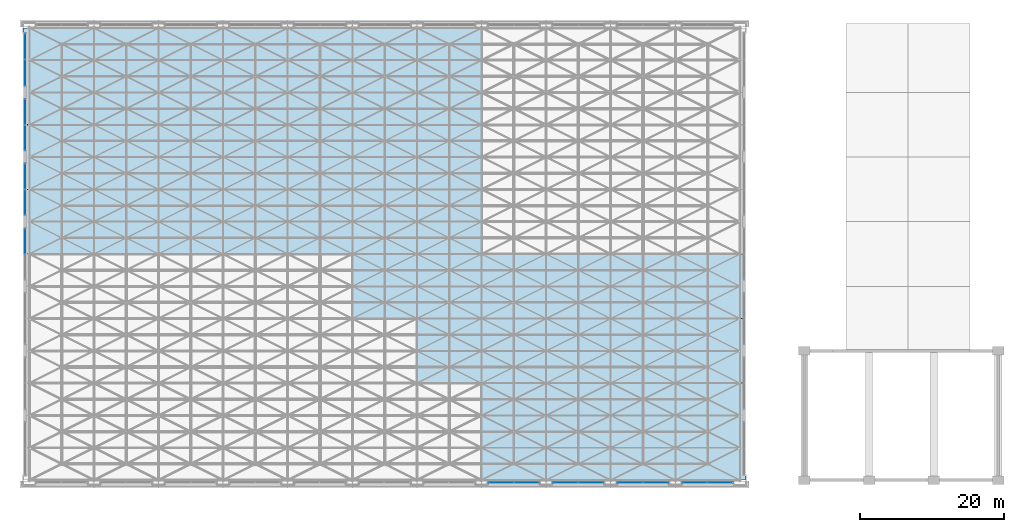
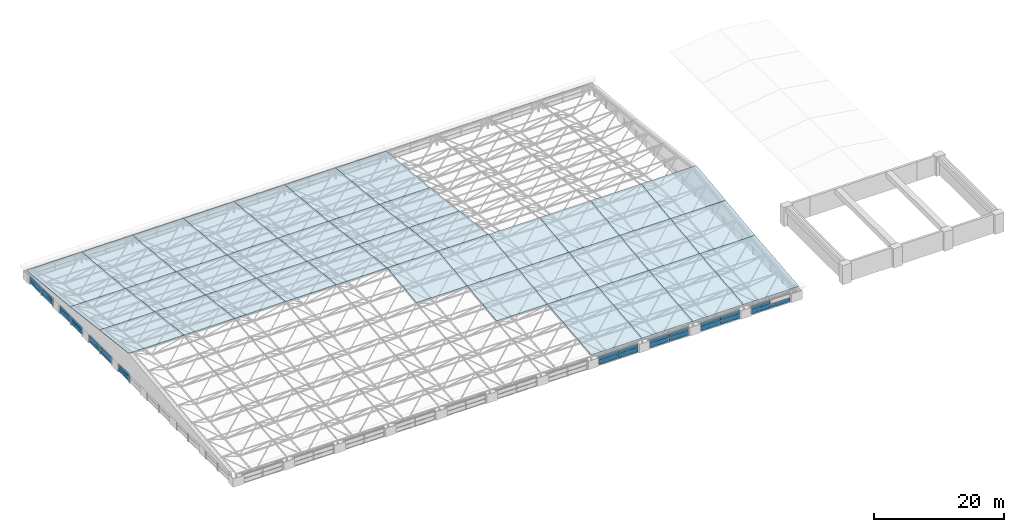
# One storey, part 24 of 53: 36 slabs, 29 plates, 8 elements without a shape of their own.
"""IFC4 building model written with IfcOpenShell, lengths in metres."""

from ifc_helpers import new_model, si_unit, direction, frame, origin, origin_2d, place, context, subcontext, project, spatial, polyline, rectangle, outline, extrude, material, layer, layer_set, type_object, element, aggregate, save


model = new_model("IFC4")

# Units and contexts
model_context = context("Model", 3, precision=1e-05, world=origin(), true_north=direction((0.0, 1.0)))
body_context = subcontext(model_context, "Body", "Model", "MODEL_VIEW")
ifc_project = project(units=[si_unit("LENGTHUNIT", "METRE"), si_unit("AREAUNIT", "SQUARE_METRE"), si_unit("VOLUMEUNIT", "CUBIC_METRE"), si_unit("PLANEANGLEUNIT", "RADIAN"), si_unit("MASSUNIT", "GRAM", prefix="KILO")], contexts=[model_context])

# Site, building, storey
site_placement = place(None, origin())
site = spatial("IfcSite", under=ifc_project, at=site_placement, CompositionType="ELEMENT")
building_placement = place(site_placement, origin())
building = spatial("IfcBuilding", under=site, at=building_placement, Name="Aravalli Gate Trade Fair Centre", CompositionType="ELEMENT")
storey_placement = place(building_placement, frame((0.0, 0.0, 25.199951171875)))
storey = spatial("IfcBuildingStorey", under=building, at=storey_placement, Name="ROOF LEVEL 2", CompositionType="ELEMENT", Elevation=25.199951171875)

# Curtain wall, plate
ifc_material_1 = material(Name="Aluminium, glass and louvre", Category="aluminium")
curtain_wall_type = type_object("IfcCurtainWallType", Name="Hall crown curtain wall 3000 module", PredefinedType="NOTDEFINED", material=ifc_material_1)
curtain_wall_1_placement = place(storey_placement, origin())
curtain_wall_1 = element("IfcCurtainWall", 1, at=curtain_wall_1_placement, inside=storey, type_object=curtain_wall_type, Name="Hall west crown curtain wall 4 ROOF LEVEL 2", PredefinedType="NOTDEFINED")
ifc_material_2 = material(Name="Glass, double glazed", Category="glass")
ifc_layer_1 = layer(ifc_material_2, 0.028076171875)
ifc_layer_set_1 = layer_set([ifc_layer_1], Name="Glass, double glazed")
plate_type_1 = type_object("IfcPlateType", Name="Hall curtain wall panel, glass 28", PredefinedType="CURTAIN_PANEL", material=ifc_layer_set_1)
plate_1_placement = place(storey_placement, frame((5.425048828125, 79.284912109375, 0.830078125), z_axis=(0.0, 0.0, 1.0), x_axis=(0.0, 1.0, 0.0)))
plate_1 = element("IfcPlate", 2, at=plate_1_placement, type_object=plate_type_1, Name="HCW1 panel 2.2", PredefinedType="CURTAIN_PANEL", context=body_context, shape_type="SweptSolid", body=[
    extrude(rectangle(XDim=3.510009765625, YDim=0.028076171875, at=origin_2d()), origin(), (0.0, 0.0, 1.0), 0.7099609375),
])

# Curtain wall, plates
curtain_wall_2_placement = place(storey_placement, origin())
curtain_wall_2 = element("IfcCurtainWall", 3, at=curtain_wall_2_placement, inside=storey, type_object=curtain_wall_type, Name="Hall west crown curtain wall 5 ROOF LEVEL 2", PredefinedType="NOTDEFINED")
plate_2_placement = place(storey_placement, frame((5.425048828125, 84.715087890625, 0.830078125), z_axis=(0.0, 0.0, 1.0), x_axis=(0.0, 1.0, 0.0)))
plate_2 = element("IfcPlate", 4, at=plate_2_placement, type_object=plate_type_1, Name="HCW1 panel 1.2", PredefinedType="CURTAIN_PANEL", context=body_context, shape_type="SweptSolid", body=[
    extrude(rectangle(XDim=3.510009765625, YDim=0.028076171875, at=origin_2d()), origin(), (0.0, 0.0, 1.0), 0.7099609375),
])
plate_3_placement = place(storey_placement, frame((5.425048828125, 88.284912109375, 0.830078125), z_axis=(0.0, 0.0, 1.0), x_axis=(0.0, 1.0, 0.0)))
plate_3 = element("IfcPlate", 5, at=plate_3_placement, type_object=plate_type_1, Name="HCW1 panel 2.2", PredefinedType="CURTAIN_PANEL", context=body_context, shape_type="SweptSolid", body=[
    extrude(rectangle(XDim=3.510009765625, YDim=0.028076171875, at=origin_2d()), origin(), (0.0, 0.0, 1.0), 0.7099609375),
])

curtain_wall_3_placement = place(storey_placement, origin())
curtain_wall_3 = element("IfcCurtainWall", 6, at=curtain_wall_3_placement, inside=storey, type_object=curtain_wall_type, Name="Hall west crown curtain wall 6 ROOF LEVEL 2", PredefinedType="NOTDEFINED")
plate_4_placement = place(storey_placement, frame((5.425048828125, 93.715087890625, 0.830078125), z_axis=(0.0, 0.0, 1.0), x_axis=(0.0, 1.0, 0.0)))
plate_4 = element("IfcPlate", 7, at=plate_4_placement, type_object=plate_type_1, Name="HCW1 panel 1.2", PredefinedType="CURTAIN_PANEL", context=body_context, shape_type="SweptSolid", body=[
    extrude(rectangle(XDim=3.510009765625, YDim=0.028076171875, at=origin_2d()), origin(), (0.0, 0.0, 1.0), 0.7099609375),
])
plate_5_placement = place(storey_placement, frame((5.425048828125, 97.284912109375, 0.830078125), z_axis=(0.0, 0.0, 1.0), x_axis=(0.0, 1.0, 0.0)))
plate_5 = element("IfcPlate", 8, at=plate_5_placement, type_object=plate_type_1, Name="HCW1 panel 2.2", PredefinedType="CURTAIN_PANEL", context=body_context, shape_type="SweptSolid", body=[
    extrude(rectangle(XDim=3.510009765625, YDim=0.028076171875, at=origin_2d()), origin(), (0.0, 0.0, 1.0), 0.7099609375),
])

curtain_wall_4_placement = place(storey_placement, origin())
curtain_wall_4 = element("IfcCurtainWall", 9, at=curtain_wall_4_placement, inside=storey, type_object=curtain_wall_type, Name="Hall west crown curtain wall 7 ROOF LEVEL 2", PredefinedType="NOTDEFINED")
plate_6_placement = place(storey_placement, frame((5.425048828125, 102.75244140625, 0.830078125), z_axis=(0.0, 0.0, 1.0), x_axis=(0.0, 1.0, 0.0)))
plate_6 = element("IfcPlate", 10, at=plate_6_placement, type_object=plate_type_1, Name="HCW1 panel 1.2", PredefinedType="CURTAIN_PANEL", context=body_context, shape_type="SweptSolid", body=[
    extrude(rectangle(XDim=3.5849609375, YDim=0.028076171875, at=origin_2d()), origin(), (0.0, 0.0, 1.0), 0.7099609375),
])
plate_7_placement = place(storey_placement, frame((5.425048828125, 106.3974609375, 0.830078125), z_axis=(0.0, 0.0, 1.0), x_axis=(0.0, 1.0, 0.0)))
plate_7 = element("IfcPlate", 11, at=plate_7_placement, type_object=plate_type_1, Name="HCW1 panel 2.2", PredefinedType="CURTAIN_PANEL", context=body_context, shape_type="SweptSolid", body=[
    extrude(rectangle(XDim=3.5849609375, YDim=0.028076171875, at=origin_2d()), origin(), (0.0, 0.0, 1.0), 0.7099609375),
])

curtain_wall_5_placement = place(storey_placement, origin())
curtain_wall_5 = element("IfcCurtainWall", 12, at=curtain_wall_5_placement, inside=storey, type_object=curtain_wall_type, Name="Hall south crown curtain wall bay 8 ROOF LEVEL 2", PredefinedType="NOTDEFINED")
ifc_material_3 = material(Name="Aluminium louvre blades", Category="aluminium")
ifc_layer_2 = layer(ifc_material_3, 0.06005859375)
ifc_layer_set_2 = layer_set([ifc_layer_2], Name="Aluminium louvre blades")
plate_type_2 = type_object("IfcPlateType", Name="Hall curtain wall panel, louvre 60", PredefinedType="CURTAIN_PANEL", material=ifc_layer_set_2)
plate_8_placement = place(storey_placement, frame((71.739990234375, 45.625, 0.06005859375), z_axis=(0.0, 0.0, 1.0), x_axis=(1.0, 0.0, 0.0)))
plate_8 = element("IfcPlate", 13, at=plate_8_placement, type_object=plate_type_2, Name="HCW1 panel 1.1", PredefinedType="CURTAIN_PANEL", context=body_context, shape_type="SweptSolid", body=[
    extrude(rectangle(XDim=3.4599609375, YDim=0.06005859375, at=origin_2d()), origin(), (0.0, 0.0, 1.0), 0.7099609375),
])
plate_9_placement = place(storey_placement, frame((71.739990234375, 45.625, 0.830078125), z_axis=(0.0, 0.0, 1.0), x_axis=(1.0, 0.0, 0.0)))
plate_9 = element("IfcPlate", 14, at=plate_9_placement, type_object=plate_type_2, Name="HCW1 panel 1.2", PredefinedType="CURTAIN_PANEL", context=body_context, shape_type="SweptSolid", body=[
    extrude(rectangle(XDim=3.4599609375, YDim=0.06005859375, at=origin_2d()), origin(), (0.0, 0.0, 1.0), 0.7099609375),
])
plate_10_placement = place(storey_placement, frame((75.260009765625, 45.625, 0.06005859375), z_axis=(0.0, 0.0, 1.0), x_axis=(1.0, 0.0, 0.0)))
plate_10 = element("IfcPlate", 15, at=plate_10_placement, type_object=plate_type_2, Name="HCW1 panel 2.1", PredefinedType="CURTAIN_PANEL", context=body_context, shape_type="SweptSolid", body=[
    extrude(rectangle(XDim=3.4599609375, YDim=0.06005859375, at=origin_2d()), origin(), (0.0, 0.0, 1.0), 0.7099609375),
])
plate_11_placement = place(storey_placement, frame((75.260009765625, 45.625, 0.830078125), z_axis=(0.0, 0.0, 1.0), x_axis=(1.0, 0.0, 0.0)))
plate_11 = element("IfcPlate", 16, at=plate_11_placement, type_object=plate_type_2, Name="HCW1 panel 2.2", PredefinedType="CURTAIN_PANEL", context=body_context, shape_type="SweptSolid", body=[
    extrude(rectangle(XDim=3.4599609375, YDim=0.06005859375, at=origin_2d()), origin(), (0.0, 0.0, 1.0), 0.7099609375),
])
aggregate(curtain_wall_5, [plate_8, plate_9, plate_10, plate_11])

curtain_wall_6_placement = place(storey_placement, origin())
curtain_wall_6 = element("IfcCurtainWall", 17, at=curtain_wall_6_placement, inside=storey, type_object=curtain_wall_type, Name="Hall south crown curtain wall bay 9 ROOF LEVEL 2", PredefinedType="NOTDEFINED")
plate_12_placement = place(storey_placement, frame((80.739990234375, 45.625, 0.06005859375), z_axis=(0.0, 0.0, 1.0), x_axis=(1.0, 0.0, 0.0)))
plate_12 = element("IfcPlate", 18, at=plate_12_placement, type_object=plate_type_2, Name="HCW1 panel 1.1", PredefinedType="CURTAIN_PANEL", context=body_context, shape_type="SweptSolid", body=[
    extrude(rectangle(XDim=3.4599609375, YDim=0.06005859375, at=origin_2d()), origin(), (0.0, 0.0, 1.0), 0.7099609375),
])
plate_13_placement = place(storey_placement, frame((80.739990234375, 45.625, 0.830078125), z_axis=(0.0, 0.0, 1.0), x_axis=(1.0, 0.0, 0.0)))
plate_13 = element("IfcPlate", 19, at=plate_13_placement, type_object=plate_type_2, Name="HCW1 panel 1.2", PredefinedType="CURTAIN_PANEL", context=body_context, shape_type="SweptSolid", body=[
    extrude(rectangle(XDim=3.4599609375, YDim=0.06005859375, at=origin_2d()), origin(), (0.0, 0.0, 1.0), 0.7099609375),
])
plate_14_placement = place(storey_placement, frame((84.260009765625, 45.625, 0.06005859375), z_axis=(0.0, 0.0, 1.0), x_axis=(1.0, 0.0, 0.0)))
plate_14 = element("IfcPlate", 20, at=plate_14_placement, type_object=plate_type_2, Name="HCW1 panel 2.1", PredefinedType="CURTAIN_PANEL", context=body_context, shape_type="SweptSolid", body=[
    extrude(rectangle(XDim=3.4599609375, YDim=0.06005859375, at=origin_2d()), origin(), (0.0, 0.0, 1.0), 0.7099609375),
])
plate_15_placement = place(storey_placement, frame((84.260009765625, 45.625, 0.830078125), z_axis=(0.0, 0.0, 1.0), x_axis=(1.0, 0.0, 0.0)))
plate_15 = element("IfcPlate", 21, at=plate_15_placement, type_object=plate_type_2, Name="HCW1 panel 2.2", PredefinedType="CURTAIN_PANEL", context=body_context, shape_type="SweptSolid", body=[
    extrude(rectangle(XDim=3.4599609375, YDim=0.06005859375, at=origin_2d()), origin(), (0.0, 0.0, 1.0), 0.7099609375),
])
aggregate(curtain_wall_6, [plate_12, plate_13, plate_14, plate_15])

curtain_wall_7_placement = place(storey_placement, origin())
curtain_wall_7 = element("IfcCurtainWall", 22, at=curtain_wall_7_placement, inside=storey, type_object=curtain_wall_type, Name="Hall south crown curtain wall bay 10 ROOF LEVEL 2", PredefinedType="NOTDEFINED")
plate_16_placement = place(storey_placement, frame((89.739990234375, 45.625, 0.06005859375), z_axis=(0.0, 0.0, 1.0), x_axis=(1.0, 0.0, 0.0)))
plate_16 = element("IfcPlate", 23, at=plate_16_placement, type_object=plate_type_2, Name="HCW1 panel 1.1", PredefinedType="CURTAIN_PANEL", context=body_context, shape_type="SweptSolid", body=[
    extrude(rectangle(XDim=3.4599609375, YDim=0.06005859375, at=origin_2d()), origin(), (0.0, 0.0, 1.0), 0.7099609375),
])
plate_17_placement = place(storey_placement, frame((89.739990234375, 45.625, 0.830078125), z_axis=(0.0, 0.0, 1.0), x_axis=(1.0, 0.0, 0.0)))
plate_17 = element("IfcPlate", 24, at=plate_17_placement, type_object=plate_type_2, Name="HCW1 panel 1.2", PredefinedType="CURTAIN_PANEL", context=body_context, shape_type="SweptSolid", body=[
    extrude(rectangle(XDim=3.4599609375, YDim=0.06005859375, at=origin_2d()), origin(), (0.0, 0.0, 1.0), 0.7099609375),
])
plate_18_placement = place(storey_placement, frame((93.260009765625, 45.625, 0.06005859375), z_axis=(0.0, 0.0, 1.0), x_axis=(1.0, 0.0, 0.0)))
plate_18 = element("IfcPlate", 25, at=plate_18_placement, type_object=plate_type_2, Name="HCW1 panel 2.1", PredefinedType="CURTAIN_PANEL", context=body_context, shape_type="SweptSolid", body=[
    extrude(rectangle(XDim=3.4599609375, YDim=0.06005859375, at=origin_2d()), origin(), (0.0, 0.0, 1.0), 0.7099609375),
])
plate_19_placement = place(storey_placement, frame((93.260009765625, 45.625, 0.830078125), z_axis=(0.0, 0.0, 1.0), x_axis=(1.0, 0.0, 0.0)))
plate_19 = element("IfcPlate", 26, at=plate_19_placement, type_object=plate_type_2, Name="HCW1 panel 2.2", PredefinedType="CURTAIN_PANEL", context=body_context, shape_type="SweptSolid", body=[
    extrude(rectangle(XDim=3.4599609375, YDim=0.06005859375, at=origin_2d()), origin(), (0.0, 0.0, 1.0), 0.7099609375),
])
aggregate(curtain_wall_7, [plate_16, plate_17, plate_18, plate_19])

curtain_wall_8_placement = place(storey_placement, origin())
curtain_wall_8 = element("IfcCurtainWall", 27, at=curtain_wall_8_placement, inside=storey, type_object=curtain_wall_type, Name="Hall south crown curtain wall bay 11 ROOF LEVEL 2", PredefinedType="NOTDEFINED")
plate_20_placement = place(storey_placement, frame((98.739990234375, 45.625, 0.06005859375), z_axis=(0.0, 0.0, 1.0), x_axis=(1.0, 0.0, 0.0)))
plate_20 = element("IfcPlate", 28, at=plate_20_placement, type_object=plate_type_2, Name="HCW1 panel 1.1", PredefinedType="CURTAIN_PANEL", context=body_context, shape_type="SweptSolid", body=[
    extrude(rectangle(XDim=3.4599609375, YDim=0.06005859375, at=origin_2d()), origin(), (0.0, 0.0, 1.0), 0.7099609375),
])
plate_21_placement = place(storey_placement, frame((98.739990234375, 45.625, 0.830078125), z_axis=(0.0, 0.0, 1.0), x_axis=(1.0, 0.0, 0.0)))
plate_21 = element("IfcPlate", 29, at=plate_21_placement, type_object=plate_type_2, Name="HCW1 panel 1.2", PredefinedType="CURTAIN_PANEL", context=body_context, shape_type="SweptSolid", body=[
    extrude(rectangle(XDim=3.4599609375, YDim=0.06005859375, at=origin_2d()), origin(), (0.0, 0.0, 1.0), 0.7099609375),
])
plate_22_placement = place(storey_placement, frame((102.260009765625, 45.625, 0.06005859375), z_axis=(0.0, 0.0, 1.0), x_axis=(1.0, 0.0, 0.0)))
plate_22 = element("IfcPlate", 30, at=plate_22_placement, type_object=plate_type_2, Name="HCW1 panel 2.1", PredefinedType="CURTAIN_PANEL", context=body_context, shape_type="SweptSolid", body=[
    extrude(rectangle(XDim=3.4599609375, YDim=0.06005859375, at=origin_2d()), origin(), (0.0, 0.0, 1.0), 0.7099609375),
])
aggregate(curtain_wall_8, [plate_20, plate_21, plate_22])

# Plate
plate_23_placement = place(storey_placement, frame((5.425048828125, 79.284912109375, 0.06005859375), z_axis=(0.0, 0.0, 1.0), x_axis=(0.0, 1.0, 0.0)))
plate_23 = element("IfcPlate", 31, at=plate_23_placement, type_object=plate_type_2, Name="HCW1 panel 2.1", PredefinedType="CURTAIN_PANEL", context=body_context, shape_type="SweptSolid", body=[
    extrude(rectangle(XDim=3.510009765625, YDim=0.06005859375, at=origin_2d()), origin(), (0.0, 0.0, 1.0), 0.7099609375),
])

aggregate(curtain_wall_1, [plate_23, plate_1])

plate_24_placement = place(storey_placement, frame((5.425048828125, 84.715087890625, 0.06005859375), z_axis=(0.0, 0.0, 1.0), x_axis=(0.0, 1.0, 0.0)))
plate_24 = element("IfcPlate", 32, at=plate_24_placement, type_object=plate_type_2, Name="HCW1 panel 1.1", PredefinedType="CURTAIN_PANEL", context=body_context, shape_type="SweptSolid", body=[
    extrude(rectangle(XDim=3.510009765625, YDim=0.06005859375, at=origin_2d()), origin(), (0.0, 0.0, 1.0), 0.7099609375),
])

plate_25_placement = place(storey_placement, frame((5.425048828125, 88.284912109375, 0.06005859375), z_axis=(0.0, 0.0, 1.0), x_axis=(0.0, 1.0, 0.0)))
plate_25 = element("IfcPlate", 33, at=plate_25_placement, type_object=plate_type_2, Name="HCW1 panel 2.1", PredefinedType="CURTAIN_PANEL", context=body_context, shape_type="SweptSolid", body=[
    extrude(rectangle(XDim=3.510009765625, YDim=0.06005859375, at=origin_2d()), origin(), (0.0, 0.0, 1.0), 0.7099609375),
])

aggregate(curtain_wall_2, [plate_24, plate_2, plate_25, plate_3])

plate_26_placement = place(storey_placement, frame((5.425048828125, 93.715087890625, 0.06005859375), z_axis=(0.0, 0.0, 1.0), x_axis=(0.0, 1.0, 0.0)))
plate_26 = element("IfcPlate", 34, at=plate_26_placement, type_object=plate_type_2, Name="HCW1 panel 1.1", PredefinedType="CURTAIN_PANEL", context=body_context, shape_type="SweptSolid", body=[
    extrude(rectangle(XDim=3.510009765625, YDim=0.06005859375, at=origin_2d()), origin(), (0.0, 0.0, 1.0), 0.7099609375),
])

plate_27_placement = place(storey_placement, frame((5.425048828125, 97.284912109375, 0.06005859375), z_axis=(0.0, 0.0, 1.0), x_axis=(0.0, 1.0, 0.0)))
plate_27 = element("IfcPlate", 35, at=plate_27_placement, type_object=plate_type_2, Name="HCW1 panel 2.1", PredefinedType="CURTAIN_PANEL", context=body_context, shape_type="SweptSolid", body=[
    extrude(rectangle(XDim=3.510009765625, YDim=0.06005859375, at=origin_2d()), origin(), (0.0, 0.0, 1.0), 0.7099609375),
])

aggregate(curtain_wall_3, [plate_26, plate_4, plate_27, plate_5])

plate_28_placement = place(storey_placement, frame((5.425048828125, 102.75244140625, 0.06005859375), z_axis=(0.0, 0.0, 1.0), x_axis=(0.0, 1.0, 0.0)))
plate_28 = element("IfcPlate", 36, at=plate_28_placement, type_object=plate_type_2, Name="HCW1 panel 1.1", PredefinedType="CURTAIN_PANEL", context=body_context, shape_type="SweptSolid", body=[
    extrude(rectangle(XDim=3.5849609375, YDim=0.06005859375, at=origin_2d()), origin(), (0.0, 0.0, 1.0), 0.7099609375),
])

plate_29_placement = place(storey_placement, frame((5.425048828125, 106.3974609375, 0.06005859375), z_axis=(0.0, 0.0, 1.0), x_axis=(0.0, 1.0, 0.0)))
plate_29 = element("IfcPlate", 37, at=plate_29_placement, type_object=plate_type_2, Name="HCW1 panel 2.1", PredefinedType="CURTAIN_PANEL", context=body_context, shape_type="SweptSolid", body=[
    extrude(rectangle(XDim=3.5849609375, YDim=0.06005859375, at=origin_2d()), origin(), (0.0, 0.0, 1.0), 0.7099609375),
])

aggregate(curtain_wall_4, [plate_28, plate_6, plate_29, plate_7])

# Slabs
ifc_material_4 = material(Name="Aluminium standing-seam roof sheet on insulated deck", Category="aluminium")
ifc_layer_3 = layer(ifc_material_4, 0.10009765625)
ifc_layer_set_3 = layer_set([ifc_layer_3], Name="Aluminium standing-seam roof sheet on insulated deck")
slab_type = type_object("IfcSlabType", Name="Hall roof panel 100", PredefinedType="ROOF", material=ifc_layer_set_3)
slab_1_placement = place(storey_placement, frame((5.199951171875, 77.511962890625, 5.565185546875), z_axis=(0.0, 0.119150537915, 0.992876200397), x_axis=(1.0, 0.0, 0.0)))
element("IfcSlab", 38, at=slab_1_placement, inside=storey, type_object=slab_type, Name="Hall roof panel bay 1 facet 4", PredefinedType="ROOF", context=body_context, shape_type="SweptSolid", body=[
    extrude(outline(polyline([(0.0, 0.0), (9.800048828125, 0.0), (9.800048828125, 9.0525254868457), (0.0, 9.0525254868457), (0.0, 0.0)])), origin(), (0.0, 0.0, -1.0), 0.10009765625),
])
slab_2_placement = place(storey_placement, frame((5.199951171875, 86.51220703125, 4.485107421875), z_axis=(0.0, 0.121306442071, 0.992615105221), x_axis=(1.0, 0.0, 0.0)))
element("IfcSlab", 39, at=slab_2_placement, inside=storey, type_object=slab_type, Name="Hall roof panel bay 1 facet 5", PredefinedType="ROOF", context=body_context, shape_type="SweptSolid", body=[
    extrude(outline(polyline([(0.0, 0.0), (9.800048828125, 0.0), (9.800048828125, 9.054660685172871), (0.0, 9.054660685172871), (0.0, 0.0)])), origin(), (0.0, 0.0, -1.0), 0.10009765625),
])
slab_3_placement = place(storey_placement, frame((5.199951171875, 95.510009765625, 3.3857421875), z_axis=(0.0, 0.099512633907, 0.995036298681), x_axis=(1.0, 0.0, 0.0)))
element("IfcSlab", 40, at=slab_3_placement, inside=storey, type_object=slab_type, Name="Hall roof panel bay 1 facet 6", PredefinedType="ROOF", context=body_context, shape_type="SweptSolid", body=[
    extrude(outline(polyline([(0.0, 0.0), (9.800048828125, 0.0), (9.800048828125, 13.55728454555462), (0.0, 13.55728454555462), (0.0, 0.0)])), origin(), (0.0, 0.0, -1.0), 0.10009765625),
])
slab_4_placement = place(storey_placement, frame((15.0, 77.511962890625, 5.565185546875), z_axis=(0.0, 0.119150537915, 0.992876200397), x_axis=(1.0, 0.0, 0.0)))
element("IfcSlab", 41, at=slab_4_placement, inside=storey, type_object=slab_type, Name="Hall roof panel bay 2 facet 4", PredefinedType="ROOF", context=body_context, shape_type="SweptSolid", body=[
    extrude(outline(polyline([(0.0, 0.0), (9.0, 0.0), (9.0, 9.052525486845699), (0.0, 9.052525486845699), (0.0, 0.0)])), origin(), (0.0, 0.0, -1.0), 0.10009765625),
])
slab_5_placement = place(storey_placement, frame((15.0, 86.51220703125, 4.485107421875), z_axis=(0.0, 0.121306442071, 0.992615105221), x_axis=(1.0, 0.0, 0.0)))
element("IfcSlab", 42, at=slab_5_placement, inside=storey, type_object=slab_type, Name="Hall roof panel bay 2 facet 5", PredefinedType="ROOF", context=body_context, shape_type="SweptSolid", body=[
    extrude(outline(polyline([(0.0, 0.0), (9.0, 0.0), (9.0, 9.054660685172873), (0.0, 9.054660685172873), (0.0, 0.0)])), origin(), (0.0, 0.0, -1.0), 0.10009765625),
])
slab_6_placement = place(storey_placement, frame((15.0, 95.510009765625, 3.3857421875), z_axis=(0.0, 0.099512633907, 0.995036298681), x_axis=(1.0, 0.0, 0.0)))
element("IfcSlab", 43, at=slab_6_placement, inside=storey, type_object=slab_type, Name="Hall roof panel bay 2 facet 6", PredefinedType="ROOF", context=body_context, shape_type="SweptSolid", body=[
    extrude(outline(polyline([(0.0, 0.0), (9.0, 0.0), (9.0, 13.55728454555462), (0.0, 13.55728454555462), (0.0, 0.0)])), origin(), (0.0, 0.0, -1.0), 0.10009765625),
])
slab_7_placement = place(storey_placement, frame((24.0, 77.511962890625, 5.565185546875), z_axis=(0.0, 0.119150537915, 0.992876200397), x_axis=(1.0, 0.0, 0.0)))
element("IfcSlab", 44, at=slab_7_placement, inside=storey, type_object=slab_type, Name="Hall roof panel bay 3 facet 4", PredefinedType="ROOF", context=body_context, shape_type="SweptSolid", body=[
    extrude(outline(polyline([(0.0, 0.0), (9.0, 0.0), (9.0, 9.052525486845699), (0.0, 9.052525486845699), (0.0, 0.0)])), origin(), (0.0, 0.0, -1.0), 0.10009765625),
])
slab_8_placement = place(storey_placement, frame((24.0, 86.51220703125, 4.485107421875), z_axis=(0.0, 0.121306442071, 0.992615105221), x_axis=(1.0, 0.0, 0.0)))
element("IfcSlab", 45, at=slab_8_placement, inside=storey, type_object=slab_type, Name="Hall roof panel bay 3 facet 5", PredefinedType="ROOF", context=body_context, shape_type="SweptSolid", body=[
    extrude(outline(polyline([(0.0, 0.0), (9.0, 0.0), (9.0, 9.054660685172873), (0.0, 9.054660685172873), (0.0, 0.0)])), origin(), (0.0, 0.0, -1.0), 0.10009765625),
])
slab_9_placement = place(storey_placement, frame((24.0, 95.510009765625, 3.3857421875), z_axis=(0.0, 0.099512633907, 0.995036298681), x_axis=(1.0, 0.0, 0.0)))
element("IfcSlab", 46, at=slab_9_placement, inside=storey, type_object=slab_type, Name="Hall roof panel bay 3 facet 6", PredefinedType="ROOF", context=body_context, shape_type="SweptSolid", body=[
    extrude(outline(polyline([(0.0, 0.0), (9.0, 0.0), (9.0, 13.55728454555462), (0.0, 13.55728454555462), (0.0, 0.0)])), origin(), (0.0, 0.0, -1.0), 0.10009765625),
])
slab_10_placement = place(storey_placement, frame((33.0, 77.511962890625, 5.565185546875), z_axis=(0.0, 0.119150537915, 0.992876200397), x_axis=(1.0, 0.0, 0.0)))
element("IfcSlab", 47, at=slab_10_placement, inside=storey, type_object=slab_type, Name="Hall roof panel bay 4 facet 4", PredefinedType="ROOF", context=body_context, shape_type="SweptSolid", body=[
    extrude(outline(polyline([(0.0, 0.0), (9.0, 0.0), (9.0, 9.052525486845699), (0.0, 9.052525486845699), (0.0, 0.0)])), origin(), (0.0, 0.0, -1.0), 0.10009765625),
])
slab_11_placement = place(storey_placement, frame((33.0, 86.51220703125, 4.485107421875), z_axis=(0.0, 0.121306442071, 0.992615105221), x_axis=(1.0, 0.0, 0.0)))
element("IfcSlab", 48, at=slab_11_placement, inside=storey, type_object=slab_type, Name="Hall roof panel bay 4 facet 5", PredefinedType="ROOF", context=body_context, shape_type="SweptSolid", body=[
    extrude(outline(polyline([(0.0, 0.0), (9.0, 0.0), (9.0, 9.054660685172873), (0.0, 9.054660685172873), (0.0, 0.0)])), origin(), (0.0, 0.0, -1.0), 0.10009765625),
])
slab_12_placement = place(storey_placement, frame((33.0, 95.510009765625, 3.3857421875), z_axis=(0.0, 0.099512633907, 0.995036298681), x_axis=(1.0, 0.0, 0.0)))
element("IfcSlab", 49, at=slab_12_placement, inside=storey, type_object=slab_type, Name="Hall roof panel bay 4 facet 6", PredefinedType="ROOF", context=body_context, shape_type="SweptSolid", body=[
    extrude(outline(polyline([(0.0, 0.0), (9.0, 0.0), (9.0, 13.55728454555462), (0.0, 13.55728454555462), (0.0, 0.0)])), origin(), (0.0, 0.0, -1.0), 0.10009765625),
])
slab_13_placement = place(storey_placement, frame((42.0, 77.511962890625, 5.565185546875), z_axis=(0.0, 0.119150537915, 0.992876200397), x_axis=(1.0, 0.0, 0.0)))
element("IfcSlab", 50, at=slab_13_placement, inside=storey, type_object=slab_type, Name="Hall roof panel bay 5 facet 4", PredefinedType="ROOF", context=body_context, shape_type="SweptSolid", body=[
    extrude(outline(polyline([(0.0, 0.0), (9.0, 0.0), (9.0, 9.052525486845699), (0.0, 9.052525486845699), (0.0, 0.0)])), origin(), (0.0, 0.0, -1.0), 0.10009765625),
])
slab_14_placement = place(storey_placement, frame((42.0, 86.51220703125, 4.485107421875), z_axis=(0.0, 0.121306442071, 0.992615105221), x_axis=(1.0, 0.0, 0.0)))
element("IfcSlab", 51, at=slab_14_placement, inside=storey, type_object=slab_type, Name="Hall roof panel bay 5 facet 5", PredefinedType="ROOF", context=body_context, shape_type="SweptSolid", body=[
    extrude(outline(polyline([(0.0, 0.0), (9.0, 0.0), (9.0, 9.054660685172873), (0.0, 9.054660685172873), (0.0, 0.0)])), origin(), (0.0, 0.0, -1.0), 0.10009765625),
])
slab_15_placement = place(storey_placement, frame((42.0, 95.510009765625, 3.3857421875), z_axis=(0.0, 0.099512633907, 0.995036298681), x_axis=(1.0, 0.0, 0.0)))
element("IfcSlab", 52, at=slab_15_placement, inside=storey, type_object=slab_type, Name="Hall roof panel bay 5 facet 6", PredefinedType="ROOF", context=body_context, shape_type="SweptSolid", body=[
    extrude(outline(polyline([(0.0, 0.0), (9.0, 0.0), (9.0, 13.55728454555462), (0.0, 13.55728454555462), (0.0, 0.0)])), origin(), (0.0, 0.0, -1.0), 0.10009765625),
])
for number, where, z_axis, x_axis, name in (
    (53, (51.0, 68.5, 4.486572265625), (0.0, -0.119150537915, 0.992876200397), (1.0, 0.0, 0.0), "Hall roof panel bay 6 facet 3"),
    (54, (51.0, 77.511962890625, 5.565185546875), (0.0, 0.119150537915, 0.992876200397), (1.0, 0.0, 0.0), "Hall roof panel bay 6 facet 4"),
):
    element("IfcSlab", number, at=place(storey_placement, frame(where, z_axis=z_axis, x_axis=x_axis)), inside=storey, type_object=slab_type, Name=name, PredefinedType="ROOF", context=body_context, shape_type="SweptSolid", body=[
        extrude(outline(polyline([(0.0, 0.0), (9.0, 0.0), (9.0, 9.052525486845699), (0.0, 9.052525486845699), (0.0, 0.0)])), origin(), (0.0, 0.0, -1.0), 0.10009765625),
    ])
slab_16_placement = place(storey_placement, frame((51.0, 86.51220703125, 4.485107421875), z_axis=(0.0, 0.121306442071, 0.992615105221), x_axis=(1.0, 0.0, 0.0)))
element("IfcSlab", 55, at=slab_16_placement, inside=storey, type_object=slab_type, Name="Hall roof panel bay 6 facet 5", PredefinedType="ROOF", context=body_context, shape_type="SweptSolid", body=[
    extrude(outline(polyline([(0.0, 0.0), (9.0, 0.0), (9.0, 9.054660685172873), (0.0, 9.054660685172873), (0.0, 0.0)])), origin(), (0.0, 0.0, -1.0), 0.10009765625),
])
slab_17_placement = place(storey_placement, frame((51.0, 95.510009765625, 3.3857421875), z_axis=(0.0, 0.099512633907, 0.995036298681), x_axis=(1.0, 0.0, 0.0)))
element("IfcSlab", 56, at=slab_17_placement, inside=storey, type_object=slab_type, Name="Hall roof panel bay 6 facet 6", PredefinedType="ROOF", context=body_context, shape_type="SweptSolid", body=[
    extrude(outline(polyline([(0.0, 0.0), (9.0, 0.0), (9.0, 13.55728454555462), (0.0, 13.55728454555462), (0.0, 0.0)])), origin(), (0.0, 0.0, -1.0), 0.10009765625),
])
slab_18_placement = place(storey_placement, frame((60.0, 59.5, 3.38671875), z_axis=(0.0, -0.121306442071, 0.992615105221), x_axis=(1.0, 0.0, 0.0)))
element("IfcSlab", 57, at=slab_18_placement, inside=storey, type_object=slab_type, Name="Hall roof panel bay 7 facet 2", PredefinedType="ROOF", context=body_context, shape_type="SweptSolid", body=[
    extrude(outline(polyline([(0.0, 0.0), (9.0, 0.0), (9.0, 9.054660685172873), (0.0, 9.054660685172873), (0.0, 0.0)])), origin(), (0.0, 0.0, -1.0), 0.10009765625),
])
for number, where, z_axis, x_axis, name in (
    (58, (60.0, 68.5, 4.486572265625), (0.0, -0.119150537915, 0.992876200397), (1.0, 0.0, 0.0), "Hall roof panel bay 7 facet 3"),
    (59, (60.0, 77.511962890625, 5.565185546875), (0.0, 0.119150537915, 0.992876200397), (1.0, 0.0, 0.0), "Hall roof panel bay 7 facet 4"),
):
    element("IfcSlab", number, at=place(storey_placement, frame(where, z_axis=z_axis, x_axis=x_axis)), inside=storey, type_object=slab_type, Name=name, PredefinedType="ROOF", context=body_context, shape_type="SweptSolid", body=[
        extrude(outline(polyline([(0.0, 0.0), (9.0, 0.0), (9.0, 9.052525486845699), (0.0, 9.052525486845699), (0.0, 0.0)])), origin(), (0.0, 0.0, -1.0), 0.10009765625),
    ])
slab_19_placement = place(storey_placement, frame((60.0, 86.51220703125, 4.485107421875), z_axis=(0.0, 0.121306442071, 0.992615105221), x_axis=(1.0, 0.0, 0.0)))
element("IfcSlab", 60, at=slab_19_placement, inside=storey, type_object=slab_type, Name="Hall roof panel bay 7 facet 5", PredefinedType="ROOF", context=body_context, shape_type="SweptSolid", body=[
    extrude(outline(polyline([(0.0, 0.0), (9.0, 0.0), (9.0, 9.054660685172873), (0.0, 9.054660685172873), (0.0, 0.0)])), origin(), (0.0, 0.0, -1.0), 0.10009765625),
])
for number, where, z_axis, x_axis, name in (
    (61, (60.0, 95.510009765625, 3.3857421875), (0.0, 0.099512633907, 0.995036298681), (1.0, 0.0, 0.0), "Hall roof panel bay 7 facet 6"),
    (62, (69.0, 46.0, 2.03662109375), (0.0, -0.099512633907, 0.995036298681), (1.0, 0.0, 0.0), "Hall roof panel bay 8 facet 1"),
):
    element("IfcSlab", number, at=place(storey_placement, frame(where, z_axis=z_axis, x_axis=x_axis)), inside=storey, type_object=slab_type, Name=name, PredefinedType="ROOF", context=body_context, shape_type="SweptSolid", body=[
        extrude(outline(polyline([(0.0, 0.0), (9.0, 0.0), (9.0, 13.55728454555462), (0.0, 13.55728454555462), (0.0, 0.0)])), origin(), (0.0, 0.0, -1.0), 0.10009765625),
    ])
slab_20_placement = place(storey_placement, frame((69.0, 59.5, 3.38671875), z_axis=(0.0, -0.121306442071, 0.992615105221), x_axis=(1.0, 0.0, 0.0)))
element("IfcSlab", 63, at=slab_20_placement, inside=storey, type_object=slab_type, Name="Hall roof panel bay 8 facet 2", PredefinedType="ROOF", context=body_context, shape_type="SweptSolid", body=[
    extrude(outline(polyline([(0.0, 0.0), (9.0, 0.0), (9.0, 9.054660685172873), (0.0, 9.054660685172873), (0.0, 0.0)])), origin(), (0.0, 0.0, -1.0), 0.10009765625),
])
slab_21_placement = place(storey_placement, frame((69.0, 68.5, 4.486572265625), z_axis=(0.0, -0.119150537915, 0.992876200397), x_axis=(1.0, 0.0, 0.0)))
element("IfcSlab", 64, at=slab_21_placement, inside=storey, type_object=slab_type, Name="Hall roof panel bay 8 facet 3", PredefinedType="ROOF", context=body_context, shape_type="SweptSolid", body=[
    extrude(outline(polyline([(0.0, 0.0), (9.0, 0.0), (9.0, 9.052525486845699), (0.0, 9.052525486845699), (0.0, 0.0)])), origin(), (0.0, 0.0, -1.0), 0.10009765625),
])
slab_22_placement = place(storey_placement, frame((78.0, 46.0, 2.03662109375), z_axis=(0.0, -0.099512633907, 0.995036298681), x_axis=(1.0, 0.0, 0.0)))
element("IfcSlab", 65, at=slab_22_placement, inside=storey, type_object=slab_type, Name="Hall roof panel bay 9 facet 1", PredefinedType="ROOF", context=body_context, shape_type="SweptSolid", body=[
    extrude(outline(polyline([(0.0, 0.0), (9.0, 0.0), (9.0, 13.55728454555462), (0.0, 13.55728454555462), (0.0, 0.0)])), origin(), (0.0, 0.0, -1.0), 0.10009765625),
])
slab_23_placement = place(storey_placement, frame((78.0, 59.5, 3.38671875), z_axis=(0.0, -0.121306442071, 0.992615105221), x_axis=(1.0, 0.0, 0.0)))
element("IfcSlab", 66, at=slab_23_placement, inside=storey, type_object=slab_type, Name="Hall roof panel bay 9 facet 2", PredefinedType="ROOF", context=body_context, shape_type="SweptSolid", body=[
    extrude(outline(polyline([(0.0, 0.0), (9.0, 0.0), (9.0, 9.054660685172873), (0.0, 9.054660685172873), (0.0, 0.0)])), origin(), (0.0, 0.0, -1.0), 0.10009765625),
])
slab_24_placement = place(storey_placement, frame((78.0, 68.5, 4.486572265625), z_axis=(0.0, -0.119150537915, 0.992876200397), x_axis=(1.0, 0.0, 0.0)))
element("IfcSlab", 67, at=slab_24_placement, inside=storey, type_object=slab_type, Name="Hall roof panel bay 9 facet 3", PredefinedType="ROOF", context=body_context, shape_type="SweptSolid", body=[
    extrude(outline(polyline([(0.0, 0.0), (9.0, 0.0), (9.0, 9.052525486845699), (0.0, 9.052525486845699), (0.0, 0.0)])), origin(), (0.0, 0.0, -1.0), 0.10009765625),
])
slab_25_placement = place(storey_placement, frame((87.0, 46.0, 2.03662109375), z_axis=(0.0, -0.099512633907, 0.995036298681), x_axis=(1.0, 0.0, 0.0)))
element("IfcSlab", 68, at=slab_25_placement, inside=storey, type_object=slab_type, Name="Hall roof panel bay 10 facet 1", PredefinedType="ROOF", context=body_context, shape_type="SweptSolid", body=[
    extrude(outline(polyline([(0.0, 0.0), (9.0, 0.0), (9.0, 13.55728454555462), (0.0, 13.55728454555462), (0.0, 0.0)])), origin(), (0.0, 0.0, -1.0), 0.10009765625),
])
slab_26_placement = place(storey_placement, frame((87.0, 59.5, 3.38671875), z_axis=(0.0, -0.121306442071, 0.992615105221), x_axis=(1.0, 0.0, 0.0)))
element("IfcSlab", 69, at=slab_26_placement, inside=storey, type_object=slab_type, Name="Hall roof panel bay 10 facet 2", PredefinedType="ROOF", context=body_context, shape_type="SweptSolid", body=[
    extrude(outline(polyline([(0.0, 0.0), (9.0, 0.0), (9.0, 9.054660685172873), (0.0, 9.054660685172873), (0.0, 0.0)])), origin(), (0.0, 0.0, -1.0), 0.10009765625),
])
slab_27_placement = place(storey_placement, frame((87.0, 68.5, 4.486572265625), z_axis=(0.0, -0.119150537915, 0.992876200397), x_axis=(1.0, 0.0, 0.0)))
element("IfcSlab", 70, at=slab_27_placement, inside=storey, type_object=slab_type, Name="Hall roof panel bay 10 facet 3", PredefinedType="ROOF", context=body_context, shape_type="SweptSolid", body=[
    extrude(outline(polyline([(0.0, 0.0), (9.0, 0.0), (9.0, 9.052525486845699), (0.0, 9.052525486845699), (0.0, 0.0)])), origin(), (0.0, 0.0, -1.0), 0.10009765625),
])
slab_28_placement = place(storey_placement, frame((96.0, 46.0, 2.03662109375), z_axis=(0.0, -0.099512633907, 0.995036298681), x_axis=(1.0, 0.0, 0.0)))
element("IfcSlab", 71, at=slab_28_placement, inside=storey, type_object=slab_type, Name="Hall roof panel bay 11 facet 1", PredefinedType="ROOF", context=body_context, shape_type="SweptSolid", body=[
    extrude(outline(polyline([(0.0, 0.0), (9.800048828125, 0.0), (9.800048828125, 13.55728454555462), (0.0, 13.55728454555462), (0.0, 0.0)])), origin(), (0.0, 0.0, -1.0), 0.10009765625),
])
slab_29_placement = place(storey_placement, frame((96.0, 59.5, 3.38671875), z_axis=(0.0, -0.121306442071, 0.992615105221), x_axis=(1.0, 0.0, 0.0)))
element("IfcSlab", 72, at=slab_29_placement, inside=storey, type_object=slab_type, Name="Hall roof panel bay 11 facet 2", PredefinedType="ROOF", context=body_context, shape_type="SweptSolid", body=[
    extrude(outline(polyline([(0.0, 0.0), (9.800048828125, 0.0), (9.800048828125, 9.054660685172871), (0.0, 9.054660685172871), (0.0, 0.0)])), origin(), (0.0, 0.0, -1.0), 0.10009765625),
])
slab_30_placement = place(storey_placement, frame((96.0, 68.5, 4.486572265625), z_axis=(0.0, -0.119150537915, 0.992876200397), x_axis=(1.0, 0.0, 0.0)))
element("IfcSlab", 73, at=slab_30_placement, inside=storey, type_object=slab_type, Name="Hall roof panel bay 11 facet 3", PredefinedType="ROOF", context=body_context, shape_type="SweptSolid", body=[
    extrude(outline(polyline([(0.0, 0.0), (9.800048828125, 0.0), (9.800048828125, 9.0525254868457), (0.0, 9.0525254868457), (0.0, 0.0)])), origin(), (0.0, 0.0, -1.0), 0.10009765625),
])

save(model, "model.ifc")
